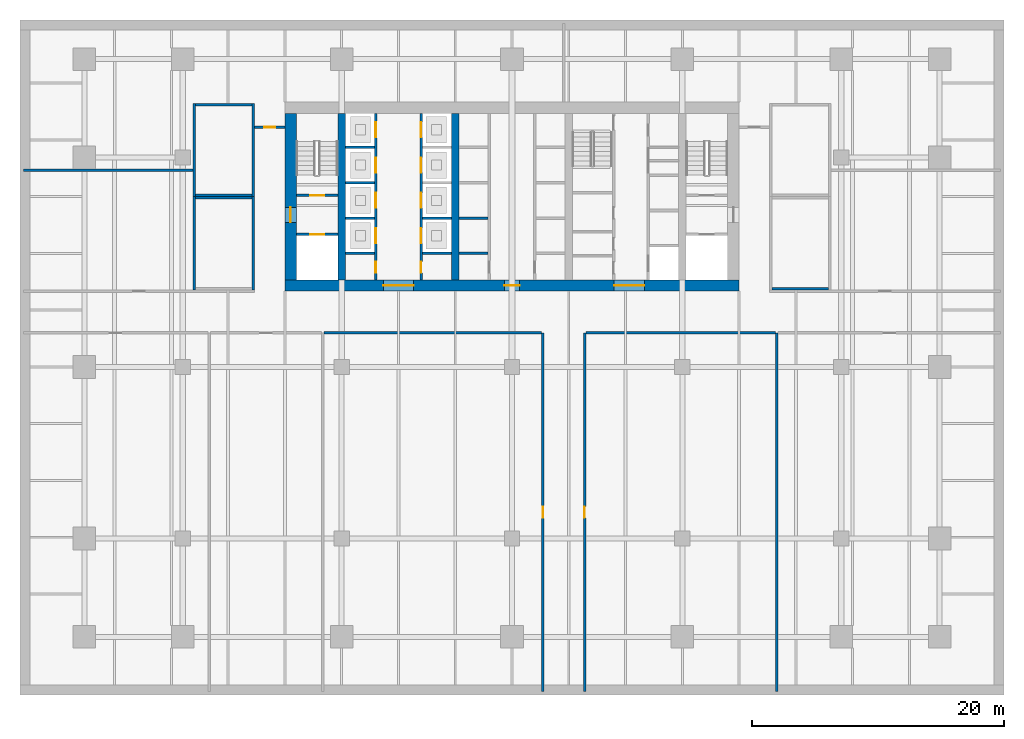
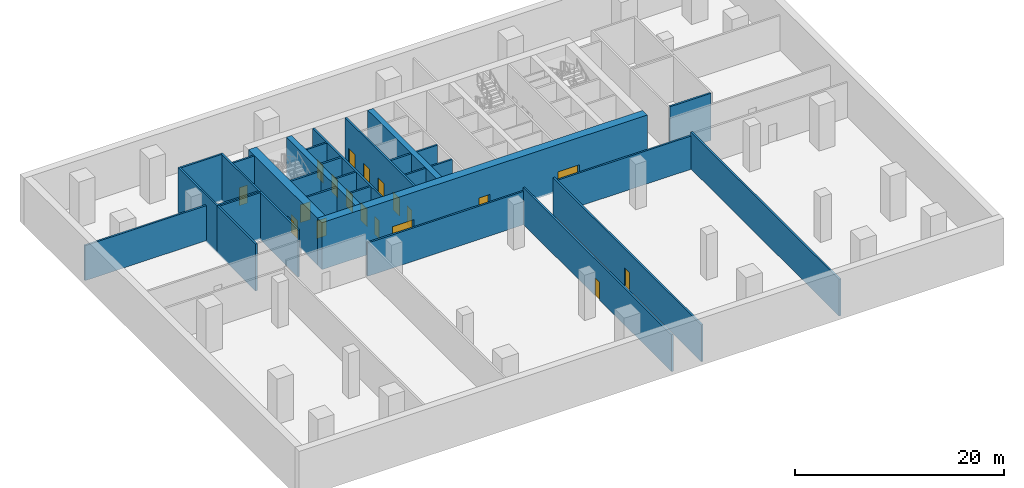
# One storey, part 6 of 11: 31 walls, 19 doors, 19 openings.
"""IFC4 building model written with IfcOpenShell, lengths in metres."""

from ifc_helpers import new_model, si_unit, direction, frame, frame_2d, origin, place, context, subcontext, project, spatial, rectangle, extrude, material, layer, layer_set, type_object, element, fill, save


model = new_model("IFC4")

# Units and contexts
model_context = context("Model", 3, precision=1e-05, world=origin(), true_north=direction((0.0, 1.0)))
body_context = subcontext(model_context, "Body", "Model", "MODEL_VIEW")
ifc_project = project(units=[si_unit("LENGTHUNIT", "METRE"), si_unit("AREAUNIT", "SQUARE_METRE"), si_unit("VOLUMEUNIT", "CUBIC_METRE"), si_unit("PLANEANGLEUNIT", "RADIAN"), si_unit("MASSUNIT", "GRAM", prefix="KILO")], contexts=[model_context])

# Site, building, storey
site_placement = place(None, origin())
site = spatial("IfcSite", under=ifc_project, at=site_placement, CompositionType="ELEMENT")
building_placement = place(site_placement, origin())
building = spatial("IfcBuilding", under=site, at=building_placement, Name="Rattan Terrace Tower", CompositionType="ELEMENT")
storey_placement = place(building_placement, frame((0.0, 0.0, -5.5)))
storey = spatial("IfcBuildingStorey", under=building, at=storey_placement, Name="B1", CompositionType="ELEMENT", Elevation=-5.5)

# Wall, opening, door
ifc_material_1 = material(Name="Gypsum board partition")
ifc_layer_1 = layer(ifc_material_1, 0.199951171875)
ifc_layer_set_1 = layer_set([ifc_layer_1], Name="Core partition 200")
wall_type_1 = type_object("IfcWallType", Name="Core partition 200", PredefinedType="PARTITIONING", material=ifc_layer_set_1)
wall_1_placement = place(storey_placement, frame((-17.10009765625, -3.0, 0.0), z_axis=(0.0, 0.0, 1.0), x_axis=(1.0, 0.0, 0.0)))
wall_1 = element("IfcWall", 1, at=wall_1_placement, inside=storey, type_object=wall_type_1, Name="Fire-fighting lobby wall", PredefinedType="PARTITIONING", context=body_context, shape_type="SweptSolid", body=[
    extrude(rectangle(XDim=3.300048828125, YDim=0.199951171875, at=frame_2d((1.64990234375, 0.0))), origin(), (0.0, 0.0, 1.0), 5.300048828125),
])
opening_1_placement = place(wall_1_placement, frame((1.10009765625, 0.0, 0.0)))
opening_1 = element("IfcOpeningElement", 2, at=opening_1_placement, cuts=wall_1, Name="Opening B1-LD-FF1", PredefinedType="OPENING", context=body_context, shape_type="SweptSolid", body=[
    extrude(rectangle(XDim=1.10009765625, YDim=2.10009765625, at=frame_2d((0.550048828125, 1.050048828125))), frame((0.0, 0.110595703125, 0.0), z_axis=(0.0, -1.0, 0.0), x_axis=(1.0, 0.0, 0.0)), (0.0, 0.0, 1.0), 0.220947265625),
])
ifc_material_2 = material(Name="Brushed stainless landing door panel")
door_type_1 = type_object("IfcDoorType", Name="Core lift landing door 1100", OperationType="DOUBLE_DOOR_SLIDING", PredefinedType="DOOR", material=ifc_material_2)
door_1_placement = place(opening_1_placement, origin())
door_1 = element("IfcDoor", 3, at=door_1_placement, inside=storey, type_object=door_type_1, Name="Door B1-LD-FF1", OperationType="DOUBLE_DOOR_SLIDING", OverallHeight=2.10009765625, OverallWidth=1.10009765625, PredefinedType="DOOR", context=body_context, shape_type="SweptSolid", body=[
    extrude(rectangle(XDim=1.10009765625, YDim=2.10009765625, at=frame_2d((0.550048828125, 1.050048828125))), frame((0.0, 0.02490234375, 0.0), z_axis=(0.0, -1.0, 0.0), x_axis=(1.0, 0.0, 0.0)), (0.0, 0.0, 1.0), 0.050048828125),
])
fill(opening_1, door_1)

wall_2_placement = place(storey_placement, frame((-17.10009765625, 0.10009765625, 0.0), z_axis=(0.0, 0.0, 1.0), x_axis=(1.0, 0.0, 0.0)))
wall_2 = element("IfcWall", 4, at=wall_2_placement, inside=storey, type_object=wall_type_1, Name="Stair enclosure wall", PredefinedType="PARTITIONING", context=body_context, shape_type="SweptSolid", body=[
    extrude(rectangle(XDim=3.300048828125, YDim=0.199951171875, at=frame_2d((1.64990234375, 0.0))), origin(), (0.0, 0.0, 1.0), 5.300048828125),
])
opening_2_placement = place(wall_2_placement, frame((1.10009765625, 0.0, 0.0)))
opening_2 = element("IfcOpeningElement", 5, at=opening_2_placement, cuts=wall_2, Name="Opening B1-D002", PredefinedType="OPENING", context=body_context, shape_type="SweptSolid", body=[
    extrude(rectangle(XDim=1.10009765625, YDim=2.10009765625, at=frame_2d((0.550048828125, 1.050048828125))), frame((0.0, 0.110595703125, 0.0), z_axis=(0.0, -1.0, 0.0), x_axis=(1.0, 0.0, 0.0)), (0.0, 0.0, 1.0), 0.220947265625),
])
ifc_material_3 = material(Name="Hollow-metal fire door leaf")
door_type_2 = type_object("IfcDoorType", Name="Core stair door 1100", OperationType="NOTDEFINED", PredefinedType="DOOR", material=ifc_material_3)
door_2_placement = place(opening_2_placement, origin())
door_2 = element("IfcDoor", 6, at=door_2_placement, inside=storey, type_object=door_type_2, Name="Door B1-D002", OperationType="SINGLE_SWING_LEFT", OverallHeight=2.10009765625, OverallWidth=1.10009765625, PredefinedType="DOOR", context=body_context, shape_type="SweptSolid", body=[
    extrude(rectangle(XDim=1.10009765625, YDim=2.10009765625, at=frame_2d((0.550048828125, 1.050048828125))), frame((0.0, 0.02490234375, 0.0), z_axis=(0.0, -1.0, 0.0), x_axis=(1.0, 0.0, 0.0)), (0.0, 0.0, 1.0), 0.050048828125),
])
fill(opening_2, door_2)

# Wall, openings, doors
ifc_material_4 = material(Name="Concrete C70/85", Category="concrete")
ifc_layer_2 = layer(ifc_material_4, 0.89990234375)
ifc_layer_set_2 = layer_set([ifc_layer_2], Name="Core ring wall 900 C70/85")
wall_type_2 = type_object("IfcWallType", Name="Core ring wall 900 C70/85", PredefinedType="SHEAR", material=ifc_layer_set_2)
wall_3_placement = place(storey_placement, frame((-18.0, -7.050048828125, -0.199951171875), z_axis=(0.0, 0.0, 1.0), x_axis=(1.0, 0.0, 0.0)))
wall_3 = element("IfcWall", 7, at=wall_3_placement, inside=storey, type_object=wall_type_2, Name="Rear core wall south", PredefinedType="SHEAR", context=body_context, shape_type="SweptSolid", body=[
    extrude(rectangle(XDim=36.0, YDim=0.89990234375, at=frame_2d((18.0, 0.0))), origin(), (0.0, 0.0, 1.0), 5.5),
])
opening_3_placement = place(wall_3_placement, frame((7.800048828125, 0.0, 0.199951171875)))
opening_3 = element("IfcOpeningElement", 8, at=opening_3_placement, cuts=wall_3, Name="Opening B1-D007", PredefinedType="OPENING", context=body_context, shape_type="SweptSolid", body=[
    extrude(rectangle(XDim=2.39990234375, YDim=2.10009765625, at=frame_2d((1.199951171875, 1.050048828125))), frame((0.0, 0.46044921875, 0.0), z_axis=(0.0, -1.0, 0.0), x_axis=(1.0, 0.0, 0.0)), (0.0, 0.0, 1.0), 0.9208984375),
])
opening_4_placement = place(wall_3_placement, frame((17.39990234375, 0.0, 0.199951171875)))
opening_4 = element("IfcOpeningElement", 9, at=opening_4_placement, cuts=wall_3, Name="Opening B1-D010", PredefinedType="OPENING", context=body_context, shape_type="SweptSolid", body=[
    extrude(rectangle(XDim=1.199951171875, YDim=2.10009765625, at=frame_2d((0.60009765625, 1.050048828125))), frame((0.0, 0.46044921875, 0.0), z_axis=(0.0, -1.0, 0.0), x_axis=(1.0, 0.0, 0.0)), (0.0, 0.0, 1.0), 0.9208984375),
])
opening_5_placement = place(wall_3_placement, frame((26.10009765625, 0.0, 0.199951171875)))
opening_5 = element("IfcOpeningElement", 10, at=opening_5_placement, cuts=wall_3, Name="Opening B1-D015", PredefinedType="OPENING", context=body_context, shape_type="SweptSolid", body=[
    extrude(rectangle(XDim=2.39990234375, YDim=2.10009765625, at=frame_2d((1.199951171875, 1.050048828125))), frame((0.0, 0.46044921875, 0.0), z_axis=(0.0, -1.0, 0.0), x_axis=(1.0, 0.0, 0.0)), (0.0, 0.0, 1.0), 0.9208984375),
])
ifc_material_5 = material(Name="Hollow-metal fire door leaf")
door_type_3 = type_object("IfcDoorType", Name="Core lift lobby door 2400", OperationType="NOTDEFINED", PredefinedType="DOOR", material=ifc_material_5)
door_3_placement = place(opening_3_placement, origin())
door_3 = element("IfcDoor", 11, at=door_3_placement, inside=storey, type_object=door_type_3, Name="Door B1-D007", OperationType="DOUBLE_DOOR_DOUBLE_SWING", OverallHeight=2.10009765625, OverallWidth=2.39990234375, PredefinedType="DOOR", context=body_context, shape_type="SweptSolid", body=[
    extrude(rectangle(XDim=2.39990234375, YDim=2.10009765625, at=frame_2d((1.199951171875, 1.050048828125))), frame((0.0, 0.02490234375, 0.0), z_axis=(0.0, -1.0, 0.0), x_axis=(1.0, 0.0, 0.0)), (0.0, 0.0, 1.0), 0.050048828125),
])
fill(opening_3, door_3)
door_4_placement = place(opening_5_placement, origin())
door_4 = element("IfcDoor", 12, at=door_4_placement, inside=storey, type_object=door_type_3, Name="Door B1-D015", OperationType="DOUBLE_DOOR_DOUBLE_SWING", OverallHeight=2.10009765625, OverallWidth=2.39990234375, PredefinedType="DOOR", context=body_context, shape_type="SweptSolid", body=[
    extrude(rectangle(XDim=2.39990234375, YDim=2.10009765625, at=frame_2d((1.199951171875, 1.050048828125))), frame((0.0, 0.02490234375, 0.0), z_axis=(0.0, -1.0, 0.0), x_axis=(1.0, 0.0, 0.0)), (0.0, 0.0, 1.0), 0.050048828125),
])
fill(opening_5, door_4)
ifc_material_6 = material(Name="Hollow-metal fire door leaf")
door_type_4 = type_object("IfcDoorType", Name="Core riser door 1200", OperationType="NOTDEFINED", PredefinedType="DOOR", material=ifc_material_6)
door_5_placement = place(opening_4_placement, origin())
door_5 = element("IfcDoor", 13, at=door_5_placement, inside=storey, type_object=door_type_4, Name="Door B1-D010", OperationType="SINGLE_SWING_RIGHT", OverallHeight=2.10009765625, OverallWidth=1.199951171875, PredefinedType="DOOR", context=body_context, shape_type="SweptSolid", body=[
    extrude(rectangle(XDim=1.199951171875, YDim=2.10009765625, at=frame_2d((0.60009765625, 1.050048828125))), frame((0.0, 0.02490234375, 0.0), z_axis=(0.0, -1.0, 0.0), x_axis=(1.0, 0.0, 0.0)), (0.0, 0.0, 1.0), 0.050048828125),
])
fill(opening_4, door_5)

# Wall, opening, door
wall_4_placement = place(storey_placement, frame((-17.550048828125, -6.60009765625, -0.199951171875), z_axis=(0.0, 0.0, 1.0), x_axis=(0.0, 1.0, 0.0)))
wall_4 = element("IfcWall", 14, at=wall_4_placement, inside=storey, type_object=wall_type_2, Name="Rear core wall west", PredefinedType="SHEAR", context=body_context, shape_type="SweptSolid", body=[
    extrude(rectangle(XDim=13.2001953125, YDim=0.89990234375, at=frame_2d((6.60009765625, 0.0))), origin(), (0.0, 0.0, 1.0), 5.5),
])
opening_6_placement = place(wall_4_placement, frame((4.550048828125, 0.0, 0.199951171875)))
opening_6 = element("IfcOpeningElement", 15, at=opening_6_placement, cuts=wall_4, Name="Opening B1-D001", PredefinedType="OPENING", context=body_context, shape_type="SweptSolid", body=[
    extrude(rectangle(XDim=1.199951171875, YDim=2.10009765625, at=frame_2d((0.60009765625, 1.050048828125))), frame((0.0, 0.46044921875, 0.0), z_axis=(0.0, -1.0, 0.0), x_axis=(1.0, 0.0, 0.0)), (0.0, 0.0, 1.0), 0.9208984375),
])
ifc_material_7 = material(Name="Hollow-metal fire door leaf")
door_type_5 = type_object("IfcDoorType", Name="Core fire-fighting lobby door 1200", OperationType="NOTDEFINED", PredefinedType="DOOR", material=ifc_material_7)
door_6_placement = place(opening_6_placement, origin())
door_6 = element("IfcDoor", 16, at=door_6_placement, inside=storey, type_object=door_type_5, Name="Door B1-D001", OperationType="SINGLE_SWING_RIGHT", OverallHeight=2.10009765625, OverallWidth=1.199951171875, PredefinedType="DOOR", context=body_context, shape_type="SweptSolid", body=[
    extrude(rectangle(XDim=1.199951171875, YDim=2.10009765625, at=frame_2d((0.60009765625, 1.050048828125))), frame((0.0, 0.02490234375, 0.0), z_axis=(0.0, -1.0, 0.0), x_axis=(1.0, 0.0, 0.0)), (0.0, 0.0, 1.0), 0.050048828125),
])
fill(opening_6, door_6)

# Walls
ifc_material_8 = material(Name="Concrete C70/85", Category="concrete")
ifc_layer_3 = layer(ifc_material_8, 0.60009765625)
ifc_layer_set_3 = layer_set([ifc_layer_3], Name="Core spine wall 600 C70/85")
wall_type_3 = type_object("IfcWallType", Name="Core spine wall 600 C70/85", PredefinedType="SHEAR", material=ifc_layer_set_3)
for number, where, z_axis, x_axis, name in (
    (17, (-13.5, -6.60009765625, -0.199951171875), (0.0, 0.0, 1.0), (0.0, 1.0, 0.0), "Core spine wall 1"),
    (18, (-4.5, -6.60009765625, -0.199951171875), (0.0, 0.0, 1.0), (0.0, 1.0, 0.0), "Core spine wall 2"),
):
    element("IfcWall", number, at=place(storey_placement, frame(where, z_axis=z_axis, x_axis=x_axis)), inside=storey, type_object=wall_type_3, Name=name, PredefinedType="SHEAR", context=body_context, shape_type="SweptSolid", body=[
        extrude(rectangle(XDim=13.2001953125, YDim=0.60009765625, at=frame_2d((6.60009765625, 0.0))), origin(), (0.0, 0.0, 1.0), 5.5),
    ])
ifc_material_9 = material(Name="Concrete block wall, plastered", Category="concrete")
ifc_layer_4 = layer(ifc_material_9, 0.199951171875)
ifc_layer_set_4 = layer_set([ifc_layer_4], Name="Floors Plant Wall 200")
wall_type_4 = type_object("IfcWallType", Name="Floors Plant Wall 200", PredefinedType="PARTITIONING", material=ifc_layer_set_4)
wall_5_placement = place(storey_placement, frame((2.35009765625, -10.800048828125, 0.0), z_axis=(0.0, 0.0, 1.0), x_axis=(-1.0, 0.0, 0.0)))
element("IfcWall", 19, at=wall_5_placement, inside=storey, type_object=wall_type_4, Name="pt-B1-003", PredefinedType="PARTITIONING", context=body_context, shape_type="SweptSolid", body=[
    extrude(rectangle(XDim=17.25, YDim=0.199951171875, at=frame_2d((8.625, 0.0))), origin(), (0.0, 0.0, 1.0), 3.89990234375),
])

# Wall, opening, door
wall_6_placement = place(storey_placement, frame((2.449951171875, -39.239990234375, 0.0), z_axis=(0.0, 0.0, 1.0), x_axis=(0.0, 1.0, 0.0)))
wall_6 = element("IfcWall", 20, at=wall_6_placement, inside=storey, type_object=wall_type_4, Name="pt-B1-004", PredefinedType="PARTITIONING", context=body_context, shape_type="SweptSolid", body=[
    extrude(rectangle(XDim=28.43994140625, YDim=0.199951171875, at=frame_2d((14.219970703125, 0.0))), origin(), (0.0, 0.0, 1.0), 4.300048828125),
])
opening_7_placement = place(wall_6_placement, frame((13.77001953125, 0.0, 0.0)))
opening_7 = element("IfcOpeningElement", 21, at=opening_7_placement, cuts=wall_6, Name="Opening B1-D102", PredefinedType="OPENING", context=body_context, shape_type="SweptSolid", body=[
    extrude(rectangle(XDim=0.89990234375, YDim=2.10009765625, at=frame_2d((0.449951171875, 1.050048828125))), frame((0.0, 0.110595703125, 0.0), z_axis=(0.0, -1.0, 0.0), x_axis=(1.0, 0.0, 0.0)), (0.0, 0.0, 1.0), 0.220947265625),
])
ifc_material_10 = material(Name="Steel fire door set", Category="steel")
door_type_6 = type_object("IfcDoorType", Name="Floors Fire Door FD60 900x2100", OperationType="NOTDEFINED", PredefinedType="DOOR", material=ifc_material_10)
door_7_placement = place(opening_7_placement, origin())
door_7 = element("IfcDoor", 22, at=door_7_placement, inside=storey, type_object=door_type_6, Name="d-B1-102", OperationType="SINGLE_SWING_LEFT", OverallHeight=2.10009765625, OverallWidth=0.89990234375, PredefinedType="DOOR", context=body_context, shape_type="SweptSolid", body=[
    extrude(rectangle(XDim=0.89990234375, YDim=2.10009765625, at=frame_2d((0.449951171875, 1.050048828125))), frame((0.0, 0.02490234375, 0.0), z_axis=(0.0, -1.0, 0.0), x_axis=(1.0, 0.0, 0.0)), (0.0, 0.0, 1.0), 0.050048828125),
])
fill(opening_7, door_7)

wall_7_placement = place(storey_placement, frame((5.75, -10.800048828125, 0.0), z_axis=(0.0, 0.0, 1.0), x_axis=(0.0, -1.0, 0.0)))
wall_7 = element("IfcWall", 23, at=wall_7_placement, inside=storey, type_object=wall_type_4, Name="pt-B1-005", PredefinedType="PARTITIONING", context=body_context, shape_type="SweptSolid", body=[
    extrude(rectangle(XDim=28.43994140625, YDim=0.199951171875, at=frame_2d((14.219970703125, 0.0))), origin(), (0.0, 0.0, 1.0), 4.300048828125),
])
opening_8_placement = place(wall_7_placement, frame((13.77001953125, 0.0, 0.0)))
opening_8 = element("IfcOpeningElement", 24, at=opening_8_placement, cuts=wall_7, Name="Opening B1-D103", PredefinedType="OPENING", context=body_context, shape_type="SweptSolid", body=[
    extrude(rectangle(XDim=0.89990234375, YDim=2.10009765625, at=frame_2d((0.449951171875, 1.050048828125))), frame((0.0, 0.110595703125, 0.0), z_axis=(0.0, -1.0, 0.0), x_axis=(1.0, 0.0, 0.0)), (0.0, 0.0, 1.0), 0.220947265625),
])
door_8_placement = place(opening_8_placement, origin())
door_8 = element("IfcDoor", 25, at=door_8_placement, inside=storey, type_object=door_type_6, Name="d-B1-103", OperationType="SINGLE_SWING_RIGHT", OverallHeight=2.10009765625, OverallWidth=0.89990234375, PredefinedType="DOOR", context=body_context, shape_type="SweptSolid", body=[
    extrude(rectangle(XDim=0.89990234375, YDim=2.10009765625, at=frame_2d((0.449951171875, 1.050048828125))), frame((0.0, 0.02490234375, 0.0), z_axis=(0.0, -1.0, 0.0), x_axis=(1.0, 0.0, 0.0)), (0.0, 0.0, 1.0), 0.050048828125),
])
fill(opening_8, door_8)

# Wall
wall_8_placement = place(storey_placement, frame((20.89990234375, -10.800048828125, 0.0), z_axis=(0.0, 0.0, 1.0), x_axis=(-1.0, 0.0, 0.0)))
element("IfcWall", 26, at=wall_8_placement, inside=storey, type_object=wall_type_4, Name="pt-B1-006", PredefinedType="PARTITIONING", context=body_context, shape_type="SweptSolid", body=[
    extrude(rectangle(XDim=15.0498046875, YDim=0.199951171875, at=frame_2d((7.52490234375, 0.0))), origin(), (0.0, 0.0, 1.0), 3.89990234375),
])

# Wall, opening, door
wall_9_placement = place(storey_placement, frame((-20.39990234375, 5.5, 0.0), z_axis=(0.0, 0.0, 1.0), x_axis=(1.0, 0.0, 0.0)))
wall_9 = element("IfcWall", 27, at=wall_9_placement, inside=storey, type_object=wall_type_4, Name="pt-B1-009", PredefinedType="PARTITIONING", context=body_context, shape_type="SweptSolid", body=[
    extrude(rectangle(XDim=2.39990234375, YDim=0.199951171875, at=frame_2d((1.199951171875, 0.0))), origin(), (0.0, 0.0, 1.0), 5.300048828125),
])
opening_9_placement = place(wall_9_placement, frame((0.75, 0.0, 0.0)))
opening_9 = element("IfcOpeningElement", 28, at=opening_9_placement, cuts=wall_9, Name="Opening B1-D106", PredefinedType="OPENING", context=body_context, shape_type="SweptSolid", body=[
    extrude(rectangle(XDim=0.89990234375, YDim=2.10009765625, at=frame_2d((0.449951171875, 1.050048828125))), frame((0.0, 0.110595703125, 0.0), z_axis=(0.0, -1.0, 0.0), x_axis=(1.0, 0.0, 0.0)), (0.0, 0.0, 1.0), 0.220947265625),
])
door_9_placement = place(opening_9_placement, origin())
door_9 = element("IfcDoor", 29, at=door_9_placement, inside=storey, type_object=door_type_6, Name="d-B1-106", OperationType="SINGLE_SWING_LEFT", OverallHeight=2.10009765625, OverallWidth=0.89990234375, PredefinedType="DOOR", context=body_context, shape_type="SweptSolid", body=[
    extrude(rectangle(XDim=0.89990234375, YDim=2.10009765625, at=frame_2d((0.449951171875, 1.050048828125))), frame((0.0, 0.02490234375, 0.0), z_axis=(0.0, -1.0, 0.0), x_axis=(1.0, 0.0, 0.0)), (0.0, 0.0, 1.0), 0.050048828125),
])
fill(opening_9, door_9)

# Walls
wall_10_placement = place(storey_placement, frame((21.0, -10.800048828125, 0.0), z_axis=(0.0, 0.0, 1.0), x_axis=(0.0, -1.0, 0.0)))
element("IfcWall", 30, at=wall_10_placement, inside=storey, type_object=wall_type_4, Name="pt-B1-014", PredefinedType="PARTITIONING", context=body_context, shape_type="SweptSolid", body=[
    extrude(rectangle(XDim=28.43994140625, YDim=0.199951171875, at=frame_2d((14.219970703125, 0.0))), origin(), (0.0, 0.0, 1.0), 4.300048828125),
])
wall_11_placement = place(storey_placement, frame((-38.739990234375, 2.10888671875, 0.0), z_axis=(0.0, 0.0, 1.0), x_axis=(1.0, 0.0, 0.0)))
element("IfcWall", 31, at=wall_11_placement, inside=storey, type_object=wall_type_4, Name="pt-B1-015", PredefinedType="PARTITIONING", context=body_context, shape_type="SweptSolid", body=[
    extrude(rectangle(XDim=13.43994140625, YDim=0.199951171875, at=frame_2d((6.719970703125, 0.0))), origin(), (0.0, 0.0, 1.0), 4.10009765625),
])

# Wall, openings, doors
ifc_material_11 = material(Name="Gypsum shaft wall system")
ifc_layer_5 = layer(ifc_material_11, 0.199951171875)
ifc_layer_set_5 = layer_set([ifc_layer_5], Name="Lift shaft wall 200")
wall_type_5 = type_object("IfcWallType", Name="Lift shaft wall 200", PredefinedType="PARTITIONING", material=ifc_layer_set_5)
wall_12_placement = place(storey_placement, frame((-10.800048828125, -6.60009765625, 0.0), z_axis=(0.0, 0.0, 1.0), x_axis=(0.0, 1.0, 0.0)))
wall_12 = element("IfcWall", 32, at=wall_12_placement, inside=storey, type_object=wall_type_5, Name="Lift shaft front wall", PredefinedType="PARTITIONING", context=body_context, shape_type="SweptSolid", body=[
    extrude(rectangle(XDim=13.2001953125, YDim=0.199951171875, at=frame_2d((6.60009765625, 0.0))), origin(), (0.0, 0.0, 1.0), 5.300048828125),
])
opening_10_placement = place(wall_12_placement, frame((0.550048828125, 0.0, 0.0)))
opening_10 = element("IfcOpeningElement", 33, at=opening_10_placement, cuts=wall_12, Name="Opening B1-D005", PredefinedType="OPENING", context=body_context, shape_type="SweptSolid", body=[
    extrude(rectangle(XDim=0.89990234375, YDim=2.10009765625, at=frame_2d((0.449951171875, 1.050048828125))), frame((0.0, 0.110595703125, 0.0), z_axis=(0.0, -1.0, 0.0), x_axis=(1.0, 0.0, 0.0)), (0.0, 0.0, 1.0), 0.220947265625),
])
opening_11_placement = place(wall_12_placement, frame((2.89990234375, 0.0, 0.0)))
opening_11 = element("IfcOpeningElement", 34, at=opening_11_placement, cuts=wall_12, Name="Opening B1-LD-LR1", PredefinedType="OPENING", context=body_context, shape_type="SweptSolid", body=[
    extrude(rectangle(XDim=1.199951171875, YDim=2.10009765625, at=frame_2d((0.60009765625, 1.050048828125))), frame((0.0, 0.110595703125, 0.0), z_axis=(0.0, -1.0, 0.0), x_axis=(1.0, 0.0, 0.0)), (0.0, 0.0, 1.0), 0.220947265625),
])
opening_12_placement = place(wall_12_placement, frame((5.699951171875, 0.0, 0.0)))
opening_12 = element("IfcOpeningElement", 35, at=opening_12_placement, cuts=wall_12, Name="Opening B1-LD-LR2", PredefinedType="OPENING", context=body_context, shape_type="SweptSolid", body=[
    extrude(rectangle(XDim=1.199951171875, YDim=2.10009765625, at=frame_2d((0.60009765625, 1.050048828125))), frame((0.0, 0.110595703125, 0.0), z_axis=(0.0, -1.0, 0.0), x_axis=(1.0, 0.0, 0.0)), (0.0, 0.0, 1.0), 0.220947265625),
])
opening_13_placement = place(wall_12_placement, frame((8.5, 0.0, 0.0)))
opening_13 = element("IfcOpeningElement", 36, at=opening_13_placement, cuts=wall_12, Name="Opening B1-LD-LR3", PredefinedType="OPENING", context=body_context, shape_type="SweptSolid", body=[
    extrude(rectangle(XDim=1.199951171875, YDim=2.10009765625, at=frame_2d((0.60009765625, 1.050048828125))), frame((0.0, 0.110595703125, 0.0), z_axis=(0.0, -1.0, 0.0), x_axis=(1.0, 0.0, 0.0)), (0.0, 0.0, 1.0), 0.220947265625),
])
opening_14_placement = place(wall_12_placement, frame((11.300048828125, 0.0, 0.0)))
opening_14 = element("IfcOpeningElement", 37, at=opening_14_placement, cuts=wall_12, Name="Opening B1-LD-LR4", PredefinedType="OPENING", context=body_context, shape_type="SweptSolid", body=[
    extrude(rectangle(XDim=1.199951171875, YDim=2.10009765625, at=frame_2d((0.60009765625, 1.050048828125))), frame((0.0, 0.110595703125, 0.0), z_axis=(0.0, -1.0, 0.0), x_axis=(1.0, 0.0, 0.0)), (0.0, 0.0, 1.0), 0.220947265625),
])
ifc_material_12 = material(Name="Brushed stainless landing door panel")
door_type_7 = type_object("IfcDoorType", Name="Core lift landing door 1200", OperationType="DOUBLE_DOOR_SLIDING", PredefinedType="DOOR", material=ifc_material_12)
door_10_placement = place(opening_11_placement, origin())
door_10 = element("IfcDoor", 38, at=door_10_placement, inside=storey, type_object=door_type_7, Name="Door B1-LD-LR1", OperationType="DOUBLE_DOOR_SLIDING", OverallHeight=2.10009765625, OverallWidth=1.199951171875, PredefinedType="DOOR", context=body_context, shape_type="SweptSolid", body=[
    extrude(rectangle(XDim=1.199951171875, YDim=2.10009765625, at=frame_2d((0.60009765625, 1.050048828125))), frame((0.0, 0.02490234375, 0.0), z_axis=(0.0, -1.0, 0.0), x_axis=(1.0, 0.0, 0.0)), (0.0, 0.0, 1.0), 0.050048828125),
])
fill(opening_11, door_10)
door_11_placement = place(opening_12_placement, origin())
door_11 = element("IfcDoor", 39, at=door_11_placement, inside=storey, type_object=door_type_7, Name="Door B1-LD-LR2", OperationType="DOUBLE_DOOR_SLIDING", OverallHeight=2.10009765625, OverallWidth=1.199951171875, PredefinedType="DOOR", context=body_context, shape_type="SweptSolid", body=[
    extrude(rectangle(XDim=1.199951171875, YDim=2.10009765625, at=frame_2d((0.60009765625, 1.050048828125))), frame((0.0, 0.02490234375, 0.0), z_axis=(0.0, -1.0, 0.0), x_axis=(1.0, 0.0, 0.0)), (0.0, 0.0, 1.0), 0.050048828125),
])
fill(opening_12, door_11)
door_12_placement = place(opening_13_placement, origin())
door_12 = element("IfcDoor", 40, at=door_12_placement, inside=storey, type_object=door_type_7, Name="Door B1-LD-LR3", OperationType="DOUBLE_DOOR_SLIDING", OverallHeight=2.10009765625, OverallWidth=1.199951171875, PredefinedType="DOOR", context=body_context, shape_type="SweptSolid", body=[
    extrude(rectangle(XDim=1.199951171875, YDim=2.10009765625, at=frame_2d((0.60009765625, 1.050048828125))), frame((0.0, 0.02490234375, 0.0), z_axis=(0.0, -1.0, 0.0), x_axis=(1.0, 0.0, 0.0)), (0.0, 0.0, 1.0), 0.050048828125),
])
fill(opening_13, door_12)
door_13_placement = place(opening_14_placement, origin())
door_13 = element("IfcDoor", 41, at=door_13_placement, inside=storey, type_object=door_type_7, Name="Door B1-LD-LR4", OperationType="DOUBLE_DOOR_SLIDING", OverallHeight=2.10009765625, OverallWidth=1.199951171875, PredefinedType="DOOR", context=body_context, shape_type="SweptSolid", body=[
    extrude(rectangle(XDim=1.199951171875, YDim=2.10009765625, at=frame_2d((0.60009765625, 1.050048828125))), frame((0.0, 0.02490234375, 0.0), z_axis=(0.0, -1.0, 0.0), x_axis=(1.0, 0.0, 0.0)), (0.0, 0.0, 1.0), 0.050048828125),
])
fill(opening_14, door_13)
ifc_material_13 = material(Name="Hollow-metal fire door leaf")
door_type_8 = type_object("IfcDoorType", Name="Core riser door 900", OperationType="NOTDEFINED", PredefinedType="DOOR", material=ifc_material_13)
door_14_placement = place(opening_10_placement, origin())
door_14 = element("IfcDoor", 42, at=door_14_placement, inside=storey, type_object=door_type_8, Name="Door B1-D005", OperationType="SINGLE_SWING_RIGHT", OverallHeight=2.10009765625, OverallWidth=0.89990234375, PredefinedType="DOOR", context=body_context, shape_type="SweptSolid", body=[
    extrude(rectangle(XDim=0.89990234375, YDim=2.10009765625, at=frame_2d((0.449951171875, 1.050048828125))), frame((0.0, 0.02490234375, 0.0), z_axis=(0.0, -1.0, 0.0), x_axis=(1.0, 0.0, 0.0)), (0.0, 0.0, 1.0), 0.050048828125),
])
fill(opening_10, door_14)

wall_13_placement = place(storey_placement, frame((-7.199951171875, -6.60009765625, 0.0), z_axis=(0.0, 0.0, 1.0), x_axis=(0.0, 1.0, 0.0)))
wall_13 = element("IfcWall", 43, at=wall_13_placement, inside=storey, type_object=wall_type_5, Name="Lift shaft front wall", PredefinedType="PARTITIONING", context=body_context, shape_type="SweptSolid", body=[
    extrude(rectangle(XDim=13.2001953125, YDim=0.199951171875, at=frame_2d((6.60009765625, 0.0))), origin(), (0.0, 0.0, 1.0), 5.300048828125),
])
opening_15_placement = place(wall_13_placement, frame((0.550048828125, 0.0, 0.0)))
opening_15 = element("IfcOpeningElement", 44, at=opening_15_placement, cuts=wall_13, Name="Opening B1-D006", PredefinedType="OPENING", context=body_context, shape_type="SweptSolid", body=[
    extrude(rectangle(XDim=0.89990234375, YDim=2.10009765625, at=frame_2d((0.449951171875, 1.050048828125))), frame((0.0, 0.110595703125, 0.0), z_axis=(0.0, -1.0, 0.0), x_axis=(1.0, 0.0, 0.0)), (0.0, 0.0, 1.0), 0.220947265625),
])
opening_16_placement = place(wall_13_placement, frame((2.89990234375, 0.0, 0.0)))
opening_16 = element("IfcOpeningElement", 45, at=opening_16_placement, cuts=wall_13, Name="Opening B1-LD-LR5", PredefinedType="OPENING", context=body_context, shape_type="SweptSolid", body=[
    extrude(rectangle(XDim=1.199951171875, YDim=2.10009765625, at=frame_2d((0.60009765625, 1.050048828125))), frame((0.0, 0.110595703125, 0.0), z_axis=(0.0, -1.0, 0.0), x_axis=(1.0, 0.0, 0.0)), (0.0, 0.0, 1.0), 0.220947265625),
])
opening_17_placement = place(wall_13_placement, frame((5.699951171875, 0.0, 0.0)))
opening_17 = element("IfcOpeningElement", 46, at=opening_17_placement, cuts=wall_13, Name="Opening B1-LD-LR6", PredefinedType="OPENING", context=body_context, shape_type="SweptSolid", body=[
    extrude(rectangle(XDim=1.199951171875, YDim=2.10009765625, at=frame_2d((0.60009765625, 1.050048828125))), frame((0.0, 0.110595703125, 0.0), z_axis=(0.0, -1.0, 0.0), x_axis=(1.0, 0.0, 0.0)), (0.0, 0.0, 1.0), 0.220947265625),
])
opening_18_placement = place(wall_13_placement, frame((8.5, 0.0, 0.0)))
opening_18 = element("IfcOpeningElement", 47, at=opening_18_placement, cuts=wall_13, Name="Opening B1-LD-LR7", PredefinedType="OPENING", context=body_context, shape_type="SweptSolid", body=[
    extrude(rectangle(XDim=1.199951171875, YDim=2.10009765625, at=frame_2d((0.60009765625, 1.050048828125))), frame((0.0, 0.110595703125, 0.0), z_axis=(0.0, -1.0, 0.0), x_axis=(1.0, 0.0, 0.0)), (0.0, 0.0, 1.0), 0.220947265625),
])
opening_19_placement = place(wall_13_placement, frame((11.300048828125, 0.0, 0.0)))
opening_19 = element("IfcOpeningElement", 48, at=opening_19_placement, cuts=wall_13, Name="Opening B1-LD-LR8", PredefinedType="OPENING", context=body_context, shape_type="SweptSolid", body=[
    extrude(rectangle(XDim=1.199951171875, YDim=2.10009765625, at=frame_2d((0.60009765625, 1.050048828125))), frame((0.0, 0.110595703125, 0.0), z_axis=(0.0, -1.0, 0.0), x_axis=(1.0, 0.0, 0.0)), (0.0, 0.0, 1.0), 0.220947265625),
])
door_15_placement = place(opening_16_placement, origin())
door_15 = element("IfcDoor", 49, at=door_15_placement, inside=storey, type_object=door_type_7, Name="Door B1-LD-LR5", OperationType="DOUBLE_DOOR_SLIDING", OverallHeight=2.10009765625, OverallWidth=1.199951171875, PredefinedType="DOOR", context=body_context, shape_type="SweptSolid", body=[
    extrude(rectangle(XDim=1.199951171875, YDim=2.10009765625, at=frame_2d((0.60009765625, 1.050048828125))), frame((0.0, 0.02490234375, 0.0), z_axis=(0.0, -1.0, 0.0), x_axis=(1.0, 0.0, 0.0)), (0.0, 0.0, 1.0), 0.050048828125),
])
fill(opening_16, door_15)
door_16_placement = place(opening_17_placement, origin())
door_16 = element("IfcDoor", 50, at=door_16_placement, inside=storey, type_object=door_type_7, Name="Door B1-LD-LR6", OperationType="DOUBLE_DOOR_SLIDING", OverallHeight=2.10009765625, OverallWidth=1.199951171875, PredefinedType="DOOR", context=body_context, shape_type="SweptSolid", body=[
    extrude(rectangle(XDim=1.199951171875, YDim=2.10009765625, at=frame_2d((0.60009765625, 1.050048828125))), frame((0.0, 0.02490234375, 0.0), z_axis=(0.0, -1.0, 0.0), x_axis=(1.0, 0.0, 0.0)), (0.0, 0.0, 1.0), 0.050048828125),
])
fill(opening_17, door_16)
door_17_placement = place(opening_18_placement, origin())
door_17 = element("IfcDoor", 51, at=door_17_placement, inside=storey, type_object=door_type_7, Name="Door B1-LD-LR7", OperationType="DOUBLE_DOOR_SLIDING", OverallHeight=2.10009765625, OverallWidth=1.199951171875, PredefinedType="DOOR", context=body_context, shape_type="SweptSolid", body=[
    extrude(rectangle(XDim=1.199951171875, YDim=2.10009765625, at=frame_2d((0.60009765625, 1.050048828125))), frame((0.0, 0.02490234375, 0.0), z_axis=(0.0, -1.0, 0.0), x_axis=(1.0, 0.0, 0.0)), (0.0, 0.0, 1.0), 0.050048828125),
])
fill(opening_18, door_17)
door_18_placement = place(opening_19_placement, origin())
door_18 = element("IfcDoor", 52, at=door_18_placement, inside=storey, type_object=door_type_7, Name="Door B1-LD-LR8", OperationType="DOUBLE_DOOR_SLIDING", OverallHeight=2.10009765625, OverallWidth=1.199951171875, PredefinedType="DOOR", context=body_context, shape_type="SweptSolid", body=[
    extrude(rectangle(XDim=1.199951171875, YDim=2.10009765625, at=frame_2d((0.60009765625, 1.050048828125))), frame((0.0, 0.02490234375, 0.0), z_axis=(0.0, -1.0, 0.0), x_axis=(1.0, 0.0, 0.0)), (0.0, 0.0, 1.0), 0.050048828125),
])
fill(opening_19, door_18)
door_19_placement = place(opening_15_placement, origin())
door_19 = element("IfcDoor", 53, at=door_19_placement, inside=storey, type_object=door_type_8, Name="Door B1-D006", OperationType="SINGLE_SWING_LEFT", OverallHeight=2.10009765625, OverallWidth=0.89990234375, PredefinedType="DOOR", context=body_context, shape_type="SweptSolid", body=[
    extrude(rectangle(XDim=0.89990234375, YDim=2.10009765625, at=frame_2d((0.449951171875, 1.050048828125))), frame((0.0, 0.02490234375, 0.0), z_axis=(0.0, -1.0, 0.0), x_axis=(1.0, 0.0, 0.0)), (0.0, 0.0, 1.0), 0.050048828125),
])
fill(opening_15, door_19)

# Walls
for number, where, z_axis, x_axis, name in (
    (54, (-13.199951171875, -1.699951171875, 0.0), (0.0, 0.0, 1.0), (1.0, 0.0, 0.0), "Lift shaft wall"),
    (55, (-13.199951171875, 1.10009765625, 0.0), (0.0, 0.0, 1.0), (1.0, 0.0, 0.0), "Lift shaft wall"),
    (56, (-13.199951171875, 3.89990234375, 0.0), (0.0, 0.0, 1.0), (1.0, 0.0, 0.0), "Lift shaft wall"),
    (57, (-13.199951171875, -4.5, 0.0), (0.0, 0.0, 1.0), (1.0, 0.0, 0.0), "Lift shaft wall"),
    (58, (-7.10009765625, -1.699951171875, 0.0), (0.0, 0.0, 1.0), (1.0, 0.0, 0.0), "Lift shaft wall"),
    (59, (-7.10009765625, -4.5, 0.0), (0.0, 0.0, 1.0), (1.0, 0.0, 0.0), "Lift shaft wall"),
    (60, (-4.199951171875, -1.699951171875, 0.0), (0.0, 0.0, 1.0), (1.0, 0.0, 0.0), "Lift shaft wall"),
    (61, (-4.199951171875, -4.5, 0.0), (0.0, 0.0, 1.0), (1.0, 0.0, 0.0), "Lift shaft wall"),
):
    element("IfcWall", number, at=place(storey_placement, frame(where, z_axis=z_axis, x_axis=x_axis)), inside=storey, type_object=wall_type_5, Name=name, PredefinedType="PARTITIONING", context=body_context, shape_type="SweptSolid", body=[
        extrude(rectangle(XDim=2.300048828125, YDim=0.199951171875, at=frame_2d((1.14990234375, 0.0))), origin(), (0.0, 0.0, 1.0), 5.300048828125),
    ])
ifc_material_14 = material(Name="Concrete C40/50", Category="concrete")
ifc_layer_6 = layer(ifc_material_14, 0.199951171875)
ifc_layer_set_6 = layer_set([ifc_layer_6], Name="Podium exit stair shaft wall 200")
wall_type_6 = type_object("IfcWallType", Name="Podium exit stair shaft wall 200", PredefinedType="SHEAR", material=ifc_layer_set_6)
for number, where, z_axis, x_axis, name in (
    (62, (-20.5, 0.0, -0.199951171875), (0.0, 0.0, 1.0), (0.0, -1.0, 0.0), "B1 stair S4 shaft wall"),
    (63, (-25.199951171875, -7.39990234375, -0.199951171875), (0.0, 0.0, 1.0), (0.0, 1.0, 0.0), "B1 stair S4 shaft wall"),
):
    element("IfcWall", number, at=place(storey_placement, frame(where, z_axis=z_axis, x_axis=x_axis)), inside=storey, type_object=wall_type_6, Name=name, PredefinedType="SHEAR", context=body_context, shape_type="SweptSolid", body=[
        extrude(rectangle(XDim=7.39990234375, YDim=0.199951171875, at=frame_2d((3.699951171875, 0.0))), origin(), (0.0, 0.0, 1.0), 5.5),
    ])
wall_14_placement = place(storey_placement, frame((-25.10009765625, -0.10009765625, -0.199951171875), z_axis=(0.0, 0.0, 1.0), x_axis=(1.0, 0.0, 0.0)))
element("IfcWall", 64, at=wall_14_placement, inside=storey, type_object=wall_type_6, Name="B1 stair S4 shaft wall", PredefinedType="SHEAR", context=body_context, shape_type="SweptSolid", body=[
    extrude(rectangle(XDim=4.5, YDim=0.199951171875, at=frame_2d((2.25, 0.0))), origin(), (0.0, 0.0, 1.0), 5.5),
])
for number, where, z_axis, x_axis, name in (
    (65, (-20.5, 7.39990234375, -0.199951171875), (0.0, 0.0, 1.0), (0.0, -1.0, 0.0), "B1 stair S5 shaft wall"),
    (66, (-25.199951171875, 0.0, -0.199951171875), (0.0, 0.0, 1.0), (0.0, 1.0, 0.0), "B1 stair S5 shaft wall"),
):
    element("IfcWall", number, at=place(storey_placement, frame(where, z_axis=z_axis, x_axis=x_axis)), inside=storey, type_object=wall_type_6, Name=name, PredefinedType="SHEAR", context=body_context, shape_type="SweptSolid", body=[
        extrude(rectangle(XDim=7.39990234375, YDim=0.199951171875, at=frame_2d((3.699951171875, 0.0))), origin(), (0.0, 0.0, 1.0), 5.5),
    ])
for number, where, z_axis, x_axis, name in (
    (67, (-25.10009765625, 7.300048828125, -0.199951171875), (0.0, 0.0, 1.0), (1.0, 0.0, 0.0), "B1 stair S5 shaft wall"),
    (68, (-25.10009765625, 0.10009765625, -0.199951171875), (0.0, 0.0, 1.0), (1.0, 0.0, 0.0), "B1 stair S5 shaft wall"),
    (69, (20.60009765625, -7.300048828125, -0.199951171875), (0.0, 0.0, 1.0), (1.0, 0.0, 0.0), "B1 stair S6 shaft wall"),
):
    element("IfcWall", number, at=place(storey_placement, frame(where, z_axis=z_axis, x_axis=x_axis)), inside=storey, type_object=wall_type_6, Name=name, PredefinedType="SHEAR", context=body_context, shape_type="SweptSolid", body=[
        extrude(rectangle(XDim=4.5, YDim=0.199951171875, at=frame_2d((2.25, 0.0))), origin(), (0.0, 0.0, 1.0), 5.5),
    ])

save(model, "model.ifc")
